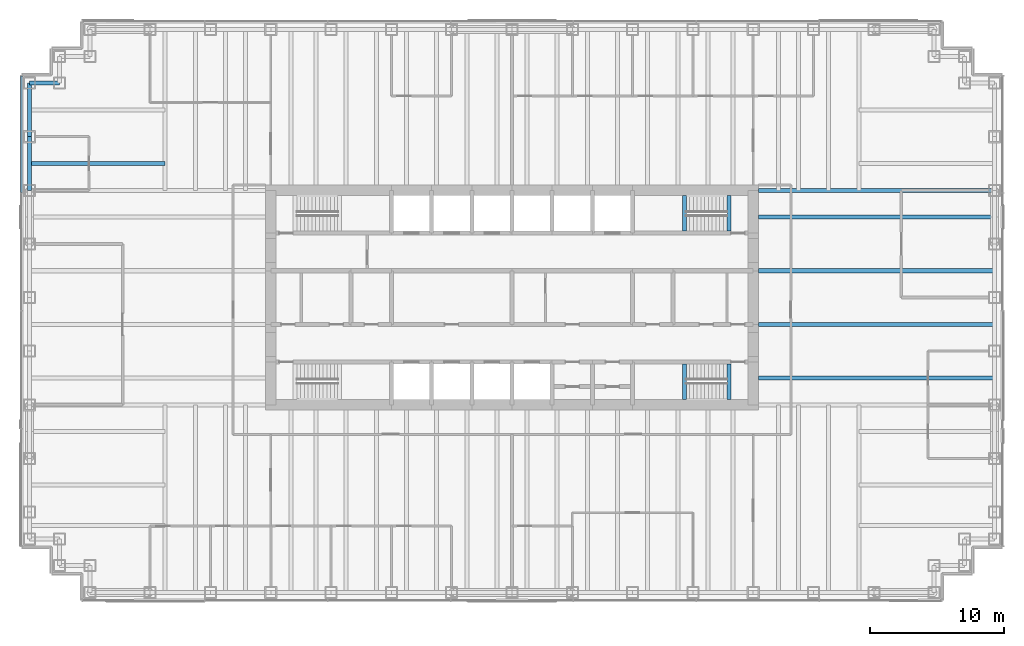
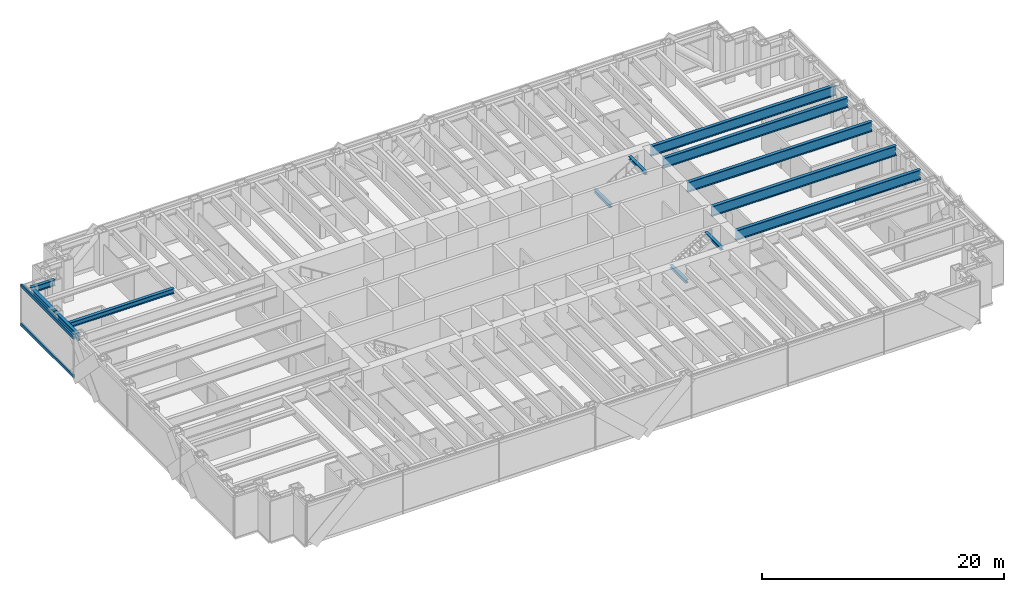
# One storey, part 4 of 18: 13 beams, 2 members, 1 element without a shape of its own.
"""IFC4 building model written with IfcOpenShell, lengths in metres."""

from ifc_helpers import new_model, si_unit, direction, frame, origin, origin_2d, place, context, subcontext, project, spatial, rectangle, i_section, extrude, material, material_profile, profile_set, type_object, element, aggregate, save


model = new_model("IFC4")

# Units and contexts
model_context = context("Model", 3, precision=1e-05, world=origin(), true_north=direction((0.0, 1.0)))
body_context = subcontext(model_context, "Body", "Model", "MODEL_VIEW")
ifc_project = project(units=[si_unit("LENGTHUNIT", "METRE"), si_unit("AREAUNIT", "SQUARE_METRE"), si_unit("VOLUMEUNIT", "CUBIC_METRE"), si_unit("PLANEANGLEUNIT", "RADIAN"), si_unit("MASSUNIT", "GRAM", prefix="KILO")], contexts=[model_context])

# Site, building, storey
site_placement = place(None, origin())
site = spatial("IfcSite", under=ifc_project, at=site_placement, CompositionType="ELEMENT")
building_placement = place(site_placement, origin())
building = spatial("IfcBuilding", under=site, at=building_placement, Name="Rheinbord Bourse Tower", CompositionType="ELEMENT")
storey_placement = place(building_placement, frame((0.0, 0.0, 244.60009765625)))
storey = spatial("IfcBuildingStorey", under=building, at=storey_placement, Name="L55", CompositionType="ELEMENT", Elevation=244.60009765625)

# Curtain wall, members
ifc_material_1 = material(Name="Dark glass and black aluminium", Category="aluminium")
curtain_wall_type = type_object("IfcCurtainWallType", Name="CW2 DARK GLASS CURTAIN WALL", PredefinedType="USERDEFINED", material=ifc_material_1)
curtain_wall_placement = place(storey_placement, origin())
curtain_wall = element("IfcCurtainWall", 1, at=curtain_wall_placement, inside=storey, type_object=curtain_wall_type, Name="Curtain wall CW2 W L55", ObjectType="UNITISED CURTAIN WALL", PredefinedType="USERDEFINED")
ifc_material_2 = material(Name="Black anodised aluminium", Category="aluminium")
ifc_material_profile_1 = material_profile(ifc_material_2, rectangle(XDim=0.159912109375, YDim=0.300048828125, at=origin_2d()), Name="CW2 TRANSOM 300x160")
ifc_profile_set_1 = profile_set([ifc_material_profile_1], Name="Black anodised aluminium")
member_type = type_object("IfcMemberType", Name="CW2 BLACK TRANSOM", PredefinedType="USERDEFINED", material=ifc_profile_set_1)
member_1_placement = place(storey_placement, frame((-0.60009765625, 40.530029296875, 0.14990234375), z_axis=(0.0, -1.0, 0.0), x_axis=(1.0, 0.0, 0.0)))
member_1 = element("IfcMember", 2, at=member_1_placement, type_object=member_type, Name="CW2 transom 1.1", ObjectType="TRANSOM", PredefinedType="USERDEFINED", context=body_context, shape_type="SweptSolid", body=[
    extrude(rectangle(XDim=0.159912109375, YDim=0.300048828125, at=origin_2d()), origin(), (0.0, 0.0, 1.0), 8.695068359375),
])
member_2_placement = place(storey_placement, frame((-0.60009765625, 40.530029296875, 4.0498046875), z_axis=(0.0, -1.0, 0.0), x_axis=(1.0, 0.0, 0.0)))
member_2 = element("IfcMember", 3, at=member_2_placement, type_object=member_type, Name="CW2 transom 1.2", ObjectType="TRANSOM", PredefinedType="USERDEFINED", context=body_context, shape_type="SweptSolid", body=[
    extrude(rectangle(XDim=0.159912109375, YDim=0.300048828125, at=origin_2d()), origin(), (0.0, 0.0, 1.0), 8.695068359375),
])
aggregate(curtain_wall, [member_1, member_2])

# Beams
ifc_material_3 = material(Name="Steel S460", Category="steel")
ifc_material_profile_2 = material_profile(ifc_material_3, i_section(OverallWidth=0.302001953125, OverallDepth=1.008056640625, WebThickness=0.02099609375, FlangeThickness=0.0400390625, at=origin_2d()), Name="HEM 1000")
ifc_profile_set_2 = profile_set([ifc_material_profile_2], Name="Steel S460")
beam_type_1 = type_object("IfcBeamType", Name="END BEAM HEM 1000", PredefinedType="BEAM", material=ifc_profile_set_2)
for number, where, z_axis, x_axis, name in (
    (4, (54.39990234375, 18.0, 3.535888671875), (1.0, 0.0, 0.0), (0.0, 1.0, 0.0), "End beam east 18 L56"),
    (5, (54.39990234375, 22.0, 3.535888671875), (1.0, 0.0, 0.0), (0.0, 1.0, 0.0), "End beam east 22 L56"),
    (6, (54.39990234375, 26.0, 3.535888671875), (1.0, 0.0, 0.0), (0.0, 1.0, 0.0), "End beam east 26 L56"),
    (7, (54.39990234375, 30.0, 3.535888671875), (1.0, 0.0, 0.0), (0.0, 1.0, 0.0), "End beam east 30 L56"),
):
    element("IfcBeam", number, at=place(storey_placement, frame(where, z_axis=z_axis, x_axis=x_axis)), inside=storey, type_object=beam_type_1, Name=name, PredefinedType="BEAM", context=body_context, shape_type="SweptSolid", body=[
        extrude(i_section(OverallWidth=0.302001953125, OverallDepth=1.008056640625, WebThickness=0.02099609375, FlangeThickness=0.0400390625, at=origin_2d()), origin(), (0.0, 0.0, 1.0), 17.60009765625),
    ])
ifc_material_4 = material(Name="Steel S460", Category="steel")
ifc_material_profile_3 = material_profile(ifc_material_4, i_section(OverallWidth=0.302001953125, OverallDepth=1.008056640625, WebThickness=0.02099609375, FlangeThickness=0.0400390625, at=origin_2d()), Name="HEM 1000")
ifc_profile_set_3 = profile_set([ifc_material_profile_3], Name="Steel S460")
beam_type_2 = type_object("IfcBeamType", Name="GIRDER HEM 1000", PredefinedType="BEAM", material=ifc_profile_set_3)
beam_1_placement = place(storey_placement, frame((54.39990234375, 32.0, 3.535888671875), z_axis=(1.0, 0.0, 0.0), x_axis=(0.0, 1.0, 0.0)))
element("IfcBeam", 8, at=beam_1_placement, inside=storey, type_object=beam_type_2, Name="Girder east 32 L56", PredefinedType="BEAM", context=body_context, shape_type="SweptSolid", body=[
    extrude(i_section(OverallWidth=0.302001953125, OverallDepth=1.008056640625, WebThickness=0.02099609375, FlangeThickness=0.0400390625, at=origin_2d()), origin(), (0.0, 0.0, 1.0), 17.60009765625),
])
ifc_material_5 = material(Name="Steel S460", Category="steel")
ifc_material_profile_4 = material_profile(ifc_material_5, i_section(OverallWidth=0.300048828125, OverallDepth=0.300048828125, WebThickness=0.010986328125, FlangeThickness=0.01904296875, at=origin_2d()), Name="HEB 300")
ifc_profile_set_4 = profile_set([ifc_material_profile_4], Name="Steel S460")
beam_type_3 = type_object("IfcBeamType", Name="LANDING TRIMMER HEB 300", PredefinedType="BEAM", material=ifc_profile_set_4)
for number, where, z_axis, x_axis, name in (
    (9, (48.8701171875, 16.39990234375, 1.75), (0.0, 1.0, 0.0), (-1.0, 0.0, 0.0), "Landing trimmer ST3 L55"),
    (10, (52.199951171875, 16.39990234375, 3.889892578125), (0.0, 1.0, 0.0), (-1.0, 0.0, 0.0), "Well trimmer ST3 under L56"),
    (11, (48.8701171875, 28.949951171875, 1.75), (0.0, 1.0, 0.0), (-1.0, 0.0, 0.0), "Landing trimmer ST4 L55"),
    (12, (52.199951171875, 28.949951171875, 3.889892578125), (0.0, 1.0, 0.0), (-1.0, 0.0, 0.0), "Well trimmer ST4 under L56"),
):
    element("IfcBeam", number, at=place(storey_placement, frame(where, z_axis=z_axis, x_axis=x_axis)), inside=storey, type_object=beam_type_3, Name=name, PredefinedType="BEAM", context=body_context, shape_type="SweptSolid", body=[
        extrude(i_section(OverallWidth=0.300048828125, OverallDepth=0.300048828125, WebThickness=0.010986328125, FlangeThickness=0.01904296875, at=origin_2d()), origin(), (0.0, 0.0, 1.0), 2.650146484375),
    ])
ifc_material_6 = material(Name="Steel S460", Category="steel")
ifc_material_profile_5 = material_profile(ifc_material_6, i_section(OverallWidth=0.300048828125, OverallDepth=0.60009765625, WebThickness=0.015380859375, FlangeThickness=0.030029296875, at=origin_2d()), Name="HEB 600")
ifc_profile_set_5 = profile_set([ifc_material_profile_5], Name="Steel S460")
beam_type_4 = type_object("IfcBeamType", Name="SPANDREL HEB 600", PredefinedType="SPANDREL", material=ifc_profile_set_5)
beam_2_placement = place(storey_placement, frame((2.25, 40.0, 3.739990234375), z_axis=(-1.0, 0.0, 0.0), x_axis=(0.0, -1.0, 0.0)))
element("IfcBeam", 13, at=beam_2_placement, inside=storey, type_object=beam_type_4, Name="Spandrel NW-B-NW-A under L56", PredefinedType="SPANDREL", context=body_context, shape_type="SweptSolid", body=[
    extrude(i_section(OverallWidth=0.300048828125, OverallDepth=0.60009765625, WebThickness=0.015380859375, FlangeThickness=0.030029296875, at=origin_2d()), origin(), (0.0, 0.0, 1.0), 2.25),
])
for number, where, z_axis, x_axis, name in (
    (14, (0.0, 40.0, 3.739990234375), (0.0, -1.0, 0.0), (1.0, 0.0, 0.0), "Spandrel NW-A-W-36 under L56"),
    (15, (0.0, 36.0, 3.739990234375), (0.0, -1.0, 0.0), (1.0, 0.0, 0.0), "Spandrel W-36-W-32 under L56"),
):
    element("IfcBeam", number, at=place(storey_placement, frame(where, z_axis=z_axis, x_axis=x_axis)), inside=storey, type_object=beam_type_4, Name=name, PredefinedType="SPANDREL", context=body_context, shape_type="SweptSolid", body=[
        extrude(i_section(OverallWidth=0.300048828125, OverallDepth=0.60009765625, WebThickness=0.015380859375, FlangeThickness=0.030029296875, at=origin_2d()), origin(), (0.0, 0.0, 1.0), 4.0),
    ])
ifc_material_7 = material(Name="Steel S460", Category="steel")
ifc_material_profile_6 = material_profile(ifc_material_7, i_section(OverallWidth=0.300048828125, OverallDepth=0.5, WebThickness=0.014404296875, FlangeThickness=0.028076171875, at=origin_2d()), Name="HEB 500")
ifc_profile_set_6 = profile_set([ifc_material_profile_6], Name="Steel S460")
beam_type_5 = type_object("IfcBeamType", Name="TIE BEAM HEB 500", PredefinedType="JOIST", material=ifc_profile_set_6)
beam_3_placement = place(storey_placement, frame((0.0, 34.0, 3.789794921875), z_axis=(1.0, 0.0, 0.0), x_axis=(0.0, 1.0, 0.0)))
element("IfcBeam", 16, at=beam_3_placement, inside=storey, type_object=beam_type_5, Name="Tie west 34 L56", PredefinedType="JOIST", context=body_context, shape_type="SweptSolid", body=[
    extrude(i_section(OverallWidth=0.300048828125, OverallDepth=0.5, WebThickness=0.014404296875, FlangeThickness=0.028076171875, at=origin_2d()), origin(), (0.0, 0.0, 1.0), 10.125),
])

save(model, "model.ifc")
